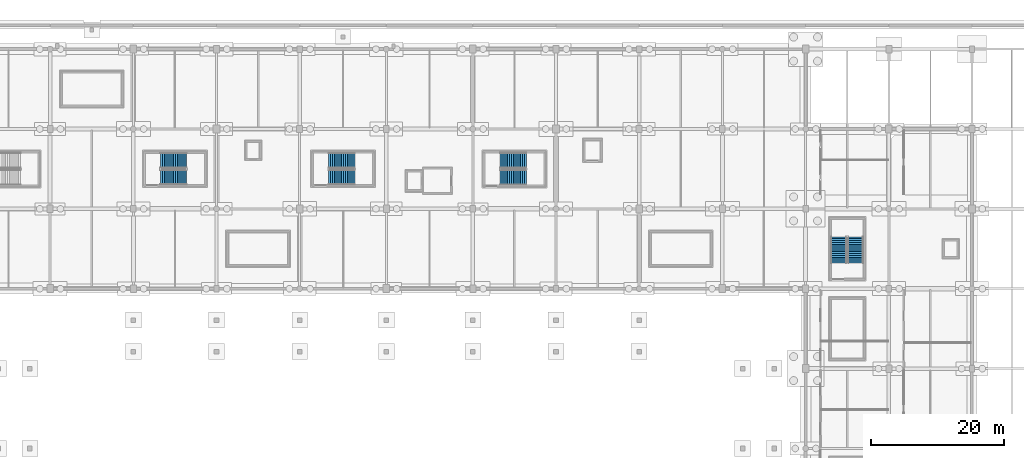
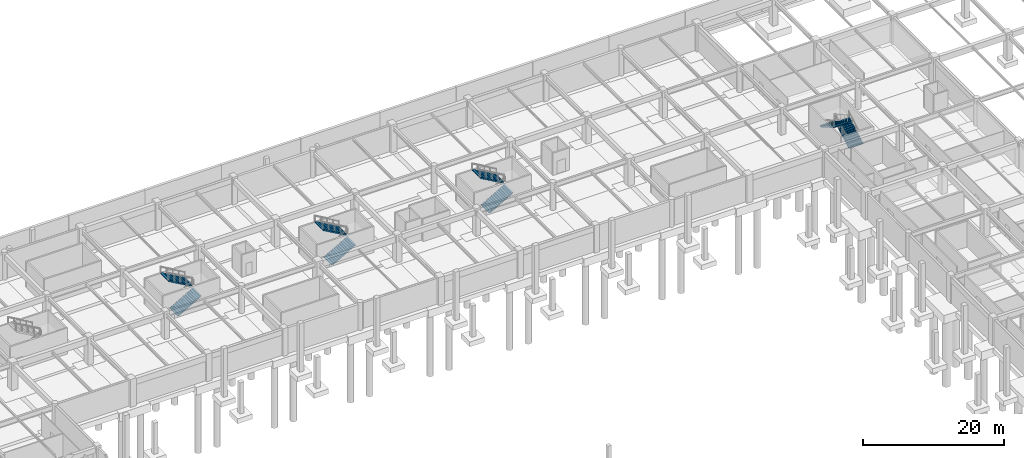
# One storey, part 41 of 56: 8 stair flights, 4 elements without a shape of their own.
"""IFC4 building model written with IfcOpenShell, lengths in metres."""

from ifc_helpers import new_model, si_unit, direction, frame, origin, place, context, subcontext, project, spatial, polyline, outline, extrude, material, type_object, element, aggregate, save


model = new_model("IFC4")

# Units and contexts
model_context = context("Model", 3, precision=1e-05, world=origin(), true_north=direction((0.0, 1.0)))
body_context = subcontext(model_context, "Body", "Model", "MODEL_VIEW")
ifc_project = project(units=[si_unit("LENGTHUNIT", "METRE"), si_unit("AREAUNIT", "SQUARE_METRE"), si_unit("VOLUMEUNIT", "CUBIC_METRE"), si_unit("PLANEANGLEUNIT", "RADIAN"), si_unit("MASSUNIT", "GRAM", prefix="KILO")], contexts=[model_context])

# Site, building, storey
site_placement = place(None, origin())
site = spatial("IfcSite", under=ifc_project, at=site_placement, CompositionType="ELEMENT")
building_placement = place(site_placement, origin())
building = spatial("IfcBuilding", under=site, at=building_placement, Name="Kazenohara Klinker Stadium", CompositionType="ELEMENT")
storey_placement = place(building_placement, frame((0.0, 0.0, -4.800048828125)))
storey = spatial("IfcBuildingStorey", under=building, at=storey_placement, Name="B01", CompositionType="ELEMENT", Elevation=-4.800048828125)

# Stair, stair flights
ifc_material = material(Name="Concrete C40/50", Category="concrete")
stair_type_1 = type_object("IfcStairType", Name="STR-DL-2300", PredefinedType="HALF_TURN_STAIR", material=ifc_material)
stair_1_placement = place(storey_placement, origin())
stair_1 = element("IfcStair", 1, at=stair_1_placement, inside=storey, type_object=stair_type_1, Name="B01 Enclosed escape stair ST09", PredefinedType="HALF_TURN_STAIR")
stair_flight_type_1 = type_object("IfcStairFlightType", Name="FLT-DL-2300-4800", PredefinedType="STRAIGHT", material=ifc_material)
stair_flight_1_placement = place(storey_placement, frame((78.090087890625, 148.75, 0.0), z_axis=(0.0, 0.0, 1.0), x_axis=(1.0, 0.0, 0.0)))
stair_flight_1 = element("IfcStairFlight", 2, at=stair_flight_1_placement, type_object=stair_flight_type_1, Name="ST09 flight 1", NumberOfRisers=15, NumberOfTreads=14, PredefinedType="STRAIGHT", RiserHeight=0.16, TreadLength=0.28, context=body_context, shape_type="SweptSolid", body=[
    extrude(outline(polyline([(0.0, 0.0), (0.0, 0.159912109375), (0.280029296875, 0.159912109375), (0.280029296875, 0.320068359375), (0.56005859375, 0.320068359375), (0.56005859375, 0.47998046875), (0.840087890625, 0.47998046875), (0.840087890625, 0.639892578125), (1.1201171875, 0.639892578125), (1.1201171875, 0.800048828125), (1.39990234375, 0.800048828125), (1.39990234375, 0.9599609375), (1.679931640625, 0.9599609375), (1.679931640625, 1.1201171875), (1.9599609375, 1.1201171875), (1.9599609375, 1.280029296875), (2.239990234375, 1.280029296875), (2.239990234375, 1.43994140625), (2.52001953125, 1.43994140625), (2.52001953125, 1.60009765625), (2.800048828125, 1.60009765625), (2.800048828125, 1.760009765625), (3.080078125, 1.760009765625), (3.080078125, 1.919921875), (3.360107421875, 1.919921875), (3.360107421875, 2.080078125), (3.639892578125, 2.080078125), (3.639892578125, 2.239990234375), (3.919921875, 2.239990234375), (3.919921875, 2.39990234375), (3.919921875, 2.0673828125), (0.30224609375, 0.0), (0.0, 0.0)])), frame((0.0, 1.14990234375, 0.0), z_axis=(0.0, -1.0, 0.0), x_axis=(1.0, 0.0, 0.0)), (0.0, 0.0, 1.0), 2.300048828125),
])
stair_flight_2_placement = place(storey_placement, frame((82.010009765625, 151.25, 2.400146484375), z_axis=(0.0, 0.0, 1.0), x_axis=(-1.0, 0.0, 0.0)))
stair_flight_2 = element("IfcStairFlight", 3, at=stair_flight_2_placement, type_object=stair_flight_type_1, Name="ST09 flight 2", NumberOfRisers=15, NumberOfTreads=14, PredefinedType="STRAIGHT", RiserHeight=0.16, TreadLength=0.28, context=body_context, shape_type="SweptSolid", body=[
    extrude(outline(polyline([(0.0, 0.0), (0.0, 0.159912109375), (0.280029296875, 0.159912109375), (0.280029296875, 0.320068359375), (0.56005859375, 0.320068359375), (0.56005859375, 0.47998046875), (0.840087890625, 0.47998046875), (0.840087890625, 0.639892578125), (1.1201171875, 0.639892578125), (1.1201171875, 0.800048828125), (1.39990234375, 0.800048828125), (1.39990234375, 0.9599609375), (1.679931640625, 0.9599609375), (1.679931640625, 1.1201171875), (1.9599609375, 1.1201171875), (1.9599609375, 1.280029296875), (2.239990234375, 1.280029296875), (2.239990234375, 1.43994140625), (2.52001953125, 1.43994140625), (2.52001953125, 1.60009765625), (2.800048828125, 1.60009765625), (2.800048828125, 1.760009765625), (3.080078125, 1.760009765625), (3.080078125, 1.919921875), (3.360107421875, 1.919921875), (3.360107421875, 2.080078125), (3.639892578125, 2.080078125), (3.639892578125, 2.239990234375), (3.919921875, 2.239990234375), (3.919921875, 2.39990234375), (3.919921875, 2.0673828125), (0.30224609375, 0.0), (0.0, 0.0)])), frame((0.0, 1.14990234375, 0.0), z_axis=(0.0, -1.0, 0.0), x_axis=(1.0, 0.0, 0.0)), (0.0, 0.0, 1.0), 2.300048828125),
])
aggregate(stair_1, [stair_flight_1, stair_flight_2])

stair_type_2 = type_object("IfcStairType", Name="STR-DL-2310", PredefinedType="HALF_TURN_STAIR", material=ifc_material)
stair_2_placement = place(storey_placement, origin())
stair_2 = element("IfcStair", 4, at=stair_2_placement, inside=storey, type_object=stair_type_2, Name="B01 Enclosed escape stair ST10", PredefinedType="HALF_TURN_STAIR")
stair_flight_type_2 = type_object("IfcStairFlightType", Name="FLT-DL-2310-4800", PredefinedType="STRAIGHT", material=ifc_material)
stair_flight_3_placement = place(storey_placement, frame((103.35009765625, 148.7451171875, 0.0), z_axis=(0.0, 0.0, 1.0), x_axis=(1.0, 0.0, 0.0)))
stair_flight_3 = element("IfcStairFlight", 5, at=stair_flight_3_placement, type_object=stair_flight_type_2, Name="ST10 flight 1", NumberOfRisers=15, NumberOfTreads=14, PredefinedType="STRAIGHT", RiserHeight=0.16, TreadLength=0.28, context=body_context, shape_type="SweptSolid", body=[
    extrude(outline(polyline([(0.0, 0.0), (0.0, 0.159912109375), (0.280029296875, 0.159912109375), (0.280029296875, 0.320068359375), (0.56005859375, 0.320068359375), (0.56005859375, 0.47998046875), (0.840087890625, 0.47998046875), (0.840087890625, 0.639892578125), (1.1201171875, 0.639892578125), (1.1201171875, 0.800048828125), (1.39990234375, 0.800048828125), (1.39990234375, 0.9599609375), (1.679931640625, 0.9599609375), (1.679931640625, 1.1201171875), (1.9599609375, 1.1201171875), (1.9599609375, 1.280029296875), (2.239990234375, 1.280029296875), (2.239990234375, 1.43994140625), (2.52001953125, 1.43994140625), (2.52001953125, 1.60009765625), (2.800048828125, 1.60009765625), (2.800048828125, 1.760009765625), (3.080078125, 1.760009765625), (3.080078125, 1.919921875), (3.360107421875, 1.919921875), (3.360107421875, 2.080078125), (3.639892578125, 2.080078125), (3.639892578125, 2.239990234375), (3.919921875, 2.239990234375), (3.919921875, 2.39990234375), (3.919921875, 2.0673828125), (0.30224609375, 0.0), (0.0, 0.0)])), frame((0.0, 1.155029296875, 0.0), z_axis=(0.0, -1.0, 0.0), x_axis=(1.0, 0.0, 0.0)), (0.0, 0.0, 1.0), 2.31005859375),
])
stair_flight_4_placement = place(storey_placement, frame((107.27001953125, 151.2548828125, 2.400146484375), z_axis=(0.0, 0.0, 1.0), x_axis=(-1.0, 0.0, 0.0)))
stair_flight_4 = element("IfcStairFlight", 6, at=stair_flight_4_placement, type_object=stair_flight_type_2, Name="ST10 flight 2", NumberOfRisers=15, NumberOfTreads=14, PredefinedType="STRAIGHT", RiserHeight=0.16, TreadLength=0.28, context=body_context, shape_type="SweptSolid", body=[
    extrude(outline(polyline([(0.0, 0.0), (0.0, 0.159912109375), (0.280029296875, 0.159912109375), (0.280029296875, 0.320068359375), (0.56005859375, 0.320068359375), (0.56005859375, 0.47998046875), (0.840087890625, 0.47998046875), (0.840087890625, 0.639892578125), (1.1201171875, 0.639892578125), (1.1201171875, 0.800048828125), (1.39990234375, 0.800048828125), (1.39990234375, 0.9599609375), (1.679931640625, 0.9599609375), (1.679931640625, 1.1201171875), (1.9599609375, 1.1201171875), (1.9599609375, 1.280029296875), (2.239990234375, 1.280029296875), (2.239990234375, 1.43994140625), (2.52001953125, 1.43994140625), (2.52001953125, 1.60009765625), (2.800048828125, 1.60009765625), (2.800048828125, 1.760009765625), (3.080078125, 1.760009765625), (3.080078125, 1.919921875), (3.360107421875, 1.919921875), (3.360107421875, 2.080078125), (3.639892578125, 2.080078125), (3.639892578125, 2.239990234375), (3.919921875, 2.239990234375), (3.919921875, 2.39990234375), (3.919921875, 2.0673828125), (0.30224609375, 0.0), (0.0, 0.0)])), frame((0.0, 1.155029296875, 0.0), z_axis=(0.0, -1.0, 0.0), x_axis=(1.0, 0.0, 0.0)), (0.0, 0.0, 1.0), 2.31005859375),
])
aggregate(stair_2, [stair_flight_3, stair_flight_4])

stair_type_3 = type_object("IfcStairType", Name="STR-DL-2330", PredefinedType="HALF_TURN_STAIR", material=ifc_material)
stair_3_placement = place(storey_placement, origin())
stair_3 = element("IfcStair", 7, at=stair_3_placement, inside=storey, type_object=stair_type_3, Name="B01 Enclosed escape stair ST11", PredefinedType="HALF_TURN_STAIR")
stair_flight_type_3 = type_object("IfcStairFlightType", Name="FLT-DL-2330-4800", PredefinedType="STRAIGHT", material=ifc_material)
stair_flight_5_placement = place(storey_placement, frame((129.1201171875, 148.735107421875, 0.0), z_axis=(0.0, 0.0, 1.0), x_axis=(1.0, 0.0, 0.0)))
stair_flight_5 = element("IfcStairFlight", 8, at=stair_flight_5_placement, type_object=stair_flight_type_3, Name="ST11 flight 1", NumberOfRisers=15, NumberOfTreads=14, PredefinedType="STRAIGHT", RiserHeight=0.16, TreadLength=0.28, context=body_context, shape_type="SweptSolid", body=[
    extrude(outline(polyline([(0.0, 0.0), (0.0, 0.159912109375), (0.280029296875, 0.159912109375), (0.280029296875, 0.320068359375), (0.56005859375, 0.320068359375), (0.56005859375, 0.47998046875), (0.840087890625, 0.47998046875), (0.840087890625, 0.639892578125), (1.1201171875, 0.639892578125), (1.1201171875, 0.800048828125), (1.39990234375, 0.800048828125), (1.39990234375, 0.9599609375), (1.679931640625, 0.9599609375), (1.679931640625, 1.1201171875), (1.9599609375, 1.1201171875), (1.9599609375, 1.280029296875), (2.239990234375, 1.280029296875), (2.239990234375, 1.43994140625), (2.52001953125, 1.43994140625), (2.52001953125, 1.60009765625), (2.800048828125, 1.60009765625), (2.800048828125, 1.760009765625), (3.080078125, 1.760009765625), (3.080078125, 1.919921875), (3.360107421875, 1.919921875), (3.360107421875, 2.080078125), (3.639892578125, 2.080078125), (3.639892578125, 2.239990234375), (3.919921875, 2.239990234375), (3.919921875, 2.39990234375), (3.919921875, 2.0673828125), (0.30224609375, 0.0), (0.0, 0.0)])), frame((0.0, 1.1650390625, 0.0), z_axis=(0.0, -1.0, 0.0), x_axis=(1.0, 0.0, 0.0)), (0.0, 0.0, 1.0), 2.330078125),
])
stair_flight_6_placement = place(storey_placement, frame((133.0400390625, 151.264892578125, 2.400146484375), z_axis=(0.0, 0.0, 1.0), x_axis=(-1.0, 0.0, 0.0)))
stair_flight_6 = element("IfcStairFlight", 9, at=stair_flight_6_placement, type_object=stair_flight_type_3, Name="ST11 flight 2", NumberOfRisers=15, NumberOfTreads=14, PredefinedType="STRAIGHT", RiserHeight=0.16, TreadLength=0.28, context=body_context, shape_type="SweptSolid", body=[
    extrude(outline(polyline([(0.0, 0.0), (0.0, 0.159912109375), (0.280029296875, 0.159912109375), (0.280029296875, 0.320068359375), (0.56005859375, 0.320068359375), (0.56005859375, 0.47998046875), (0.840087890625, 0.47998046875), (0.840087890625, 0.639892578125), (1.1201171875, 0.639892578125), (1.1201171875, 0.800048828125), (1.39990234375, 0.800048828125), (1.39990234375, 0.9599609375), (1.679931640625, 0.9599609375), (1.679931640625, 1.1201171875), (1.9599609375, 1.1201171875), (1.9599609375, 1.280029296875), (2.239990234375, 1.280029296875), (2.239990234375, 1.43994140625), (2.52001953125, 1.43994140625), (2.52001953125, 1.60009765625), (2.800048828125, 1.60009765625), (2.800048828125, 1.760009765625), (3.080078125, 1.760009765625), (3.080078125, 1.919921875), (3.360107421875, 1.919921875), (3.360107421875, 2.080078125), (3.639892578125, 2.080078125), (3.639892578125, 2.239990234375), (3.919921875, 2.239990234375), (3.919921875, 2.39990234375), (3.919921875, 2.0673828125), (0.30224609375, 0.0), (0.0, 0.0)])), frame((0.0, 1.1650390625, 0.0), z_axis=(0.0, -1.0, 0.0), x_axis=(1.0, 0.0, 0.0)), (0.0, 0.0, 1.0), 2.330078125),
])
aggregate(stair_3, [stair_flight_5, stair_flight_6])

stair_type_4 = type_object("IfcStairType", Name="STR-DL-2340", PredefinedType="HALF_TURN_STAIR", material=ifc_material)
stair_4_placement = place(storey_placement, origin())
stair_4 = element("IfcStair", 10, at=stair_4_placement, inside=storey, type_object=stair_type_4, Name="B01 Enclosed escape stair ST12", PredefinedType="HALF_TURN_STAIR")
stair_flight_type_4 = type_object("IfcStairFlightType", Name="FLT-DL-2340-4800", PredefinedType="STRAIGHT", material=ifc_material)
stair_flight_7_placement = place(storey_placement, frame((182.52001953125, 135.8798828125, 0.0), z_axis=(0.0, 0.0, 1.0), x_axis=(0.0, 1.0, 0.0)))
stair_flight_7 = element("IfcStairFlight", 11, at=stair_flight_7_placement, type_object=stair_flight_type_4, Name="ST12 flight 1", NumberOfRisers=15, NumberOfTreads=14, PredefinedType="STRAIGHT", RiserHeight=0.16, TreadLength=0.28, context=body_context, shape_type="SweptSolid", body=[
    extrude(outline(polyline([(0.0, 0.0), (0.0, 0.159912109375), (0.280029296875, 0.159912109375), (0.280029296875, 0.320068359375), (0.56005859375, 0.320068359375), (0.56005859375, 0.47998046875), (0.840087890625, 0.47998046875), (0.840087890625, 0.639892578125), (1.1201171875, 0.639892578125), (1.1201171875, 0.800048828125), (1.39990234375, 0.800048828125), (1.39990234375, 0.9599609375), (1.679931640625, 0.9599609375), (1.679931640625, 1.1201171875), (1.9599609375, 1.1201171875), (1.9599609375, 1.280029296875), (2.239990234375, 1.280029296875), (2.239990234375, 1.43994140625), (2.52001953125, 1.43994140625), (2.52001953125, 1.60009765625), (2.800048828125, 1.60009765625), (2.800048828125, 1.760009765625), (3.080078125, 1.760009765625), (3.080078125, 1.919921875), (3.360107421875, 1.919921875), (3.360107421875, 2.080078125), (3.639892578125, 2.080078125), (3.639892578125, 2.239990234375), (3.919921875, 2.239990234375), (3.919921875, 2.39990234375), (3.919921875, 2.0673828125), (0.30224609375, 0.0), (0.0, 0.0)])), frame((0.0, 1.169921875, 0.0), z_axis=(0.0, -1.0, 0.0), x_axis=(1.0, 0.0, 0.0)), (0.0, 0.0, 1.0), 2.340087890625),
])
stair_flight_8_placement = place(storey_placement, frame((179.97998046875, 139.800048828125, 2.400146484375), z_axis=(0.0, 0.0, 1.0), x_axis=(0.0, -1.0, 0.0)))
stair_flight_8 = element("IfcStairFlight", 12, at=stair_flight_8_placement, type_object=stair_flight_type_4, Name="ST12 flight 2", NumberOfRisers=15, NumberOfTreads=14, PredefinedType="STRAIGHT", RiserHeight=0.16, TreadLength=0.28, context=body_context, shape_type="SweptSolid", body=[
    extrude(outline(polyline([(0.0, 0.0), (0.0, 0.159912109375), (0.280029296875, 0.159912109375), (0.280029296875, 0.320068359375), (0.56005859375, 0.320068359375), (0.56005859375, 0.47998046875), (0.840087890625, 0.47998046875), (0.840087890625, 0.639892578125), (1.1201171875, 0.639892578125), (1.1201171875, 0.800048828125), (1.39990234375, 0.800048828125), (1.39990234375, 0.9599609375), (1.679931640625, 0.9599609375), (1.679931640625, 1.1201171875), (1.9599609375, 1.1201171875), (1.9599609375, 1.280029296875), (2.239990234375, 1.280029296875), (2.239990234375, 1.43994140625), (2.52001953125, 1.43994140625), (2.52001953125, 1.60009765625), (2.800048828125, 1.60009765625), (2.800048828125, 1.760009765625), (3.080078125, 1.760009765625), (3.080078125, 1.919921875), (3.360107421875, 1.919921875), (3.360107421875, 2.080078125), (3.639892578125, 2.080078125), (3.639892578125, 2.239990234375), (3.919921875, 2.239990234375), (3.919921875, 2.39990234375), (3.919921875, 2.0673828125), (0.30224609375, 0.0), (0.0, 0.0)])), frame((0.0, 1.169921875, 0.0), z_axis=(0.0, -1.0, 0.0), x_axis=(1.0, 0.0, 0.0)), (0.0, 0.0, 1.0), 2.340087890625),
])
aggregate(stair_4, [stair_flight_7, stair_flight_8])

save(model, "model.ifc")
